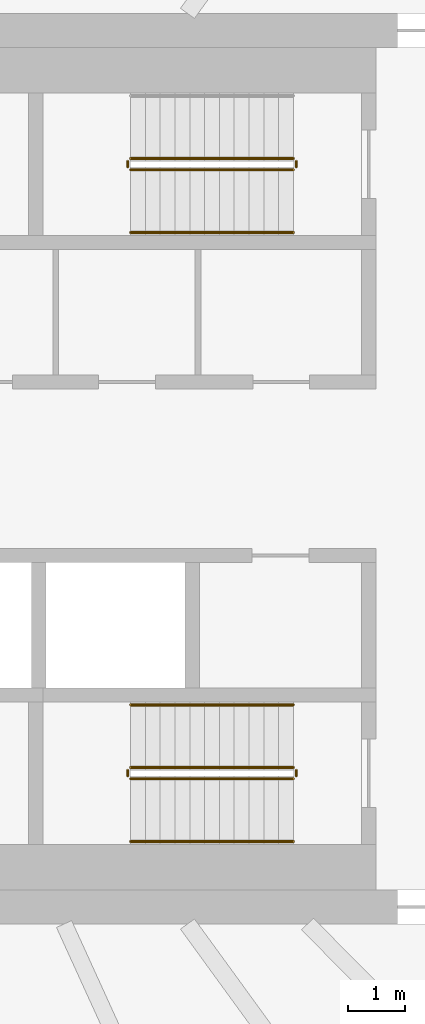
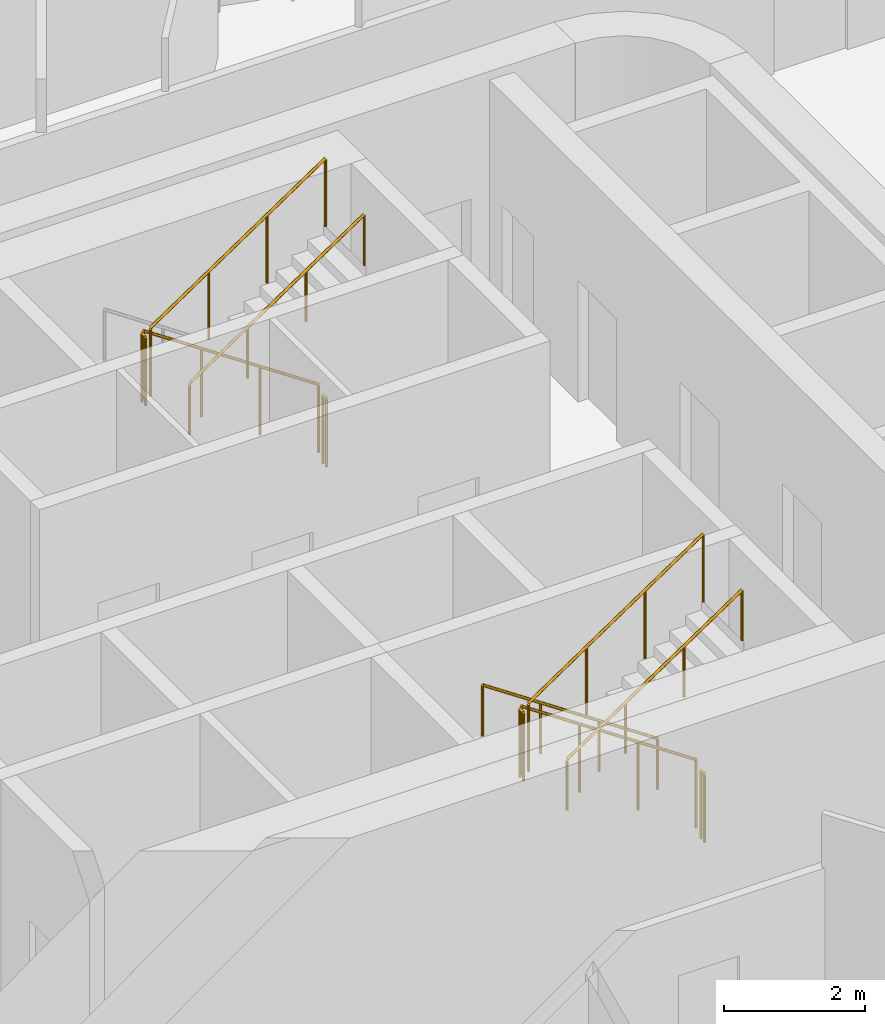
# One storey, part 22 of 24: 11 railings.
"""IFC4 building model written with IfcOpenShell, lengths in metres."""

import ifcopenshell
import ifcopenshell.guid

model = None  # the IFC model being written
_history = None  # IfcOwnerHistory: only IFC2X3 demands one
_inside = {}  # id of a spatial element -> (the spatial element, [elements in it])
_under = {}  # id of a project, library or spatial element -> (it, [spatial elements below it])
_declared = {}  # id of a project -> (the project, [libraries it declares])
_typed = {}  # id of a type object -> (the type object, [elements of that type])
_made_of = {}  # id of a material, layer set ... -> (it, [elements and type objects made of it])


def new_model(schema):
    """Start an empty IFC model of exactly this schema.

    Asked for "IFC4X3", IfcOpenShell would pick the latest addendum, in which some entities
    have other attributes; the version numbers below select the first issue.
    IFC2X3 requires an IfcOwnerHistory on every rooted entity: one is made here for all.
    """
    global model, _history
    if schema == "IFC4X3":
        model = ifcopenshell.file(schema_version=(4, 3, 0, 0))
    else:
        model = ifcopenshell.file(schema=schema)
    _inside.clear()
    _under.clear()
    _declared.clear()
    _typed.clear()
    _made_of.clear()
    _history = None
    if model.schema == "IFC2X3":
        org = make("IfcOrganization", Name="unknown")
        user = make(
            "IfcPersonAndOrganization",
            ThePerson=make("IfcPerson", FamilyName="unknown"),
            TheOrganization=org,
        )
        app = make(
            "IfcApplication",
            ApplicationDeveloper=org,
            Version="unknown",
            ApplicationFullName="unknown",
            ApplicationIdentifier="unknown",
        )
        _history = make(
            "IfcOwnerHistory",
            OwningUser=user,
            OwningApplication=app,
            ChangeAction="ADDED",
            CreationDate=0,
        )
    return model


def make(cls, **values):
    """One entity of the class cls with the attributes given. An attribute that is None is left unset."""
    return model.create_entity(
        cls, **{name: value for name, value in values.items() if value is not None}
    )


def rooted(cls, **values):
    """An entity with a GlobalId (a new one), such as an element, a storey or a relation."""
    return make(cls, GlobalId=ifcopenshell.guid.new(), OwnerHistory=_history, **values)


def si_unit(unit_type, name, prefix=None):
    """IfcSIUnit, for example si_unit("LENGTHUNIT", "METRE", prefix="MILLI")."""
    return make("IfcSIUnit", UnitType=unit_type, Prefix=prefix, Name=name)


def assignment(units):
    """IfcUnitAssignment: the units of a project."""
    return None if units is None else make("IfcUnitAssignment", Units=units)


def point(xyz):
    """IfcCartesianPoint."""
    return None if xyz is None else make("IfcCartesianPoint", Coordinates=xyz)


def direction(xyz):
    """IfcDirection."""
    return None if xyz is None else make("IfcDirection", DirectionRatios=xyz)


def frame(location, z_axis=None, x_axis=None):
    """IfcAxis2Placement3D, a coordinate frame: its origin and axes. An axis left out is left unset."""
    return make(
        "IfcAxis2Placement3D",
        Location=point(location),
        Axis=direction(z_axis),
        RefDirection=direction(x_axis),
    )


def frame_2d(location, x_axis=None):
    """IfcAxis2Placement2D, a coordinate frame in the plane: its origin and x axis."""
    return make(
        "IfcAxis2Placement2D", Location=point(location), RefDirection=direction(x_axis)
    )


def origin():
    """The frame at (0, 0, 0) with its axes left unset."""
    return frame((0.0, 0.0, 0.0))


def origin_2d():
    """The frame at (0, 0) in the plane with its x axis left unset."""
    return frame_2d((0.0, 0.0))


def place(relative_to, where):
    """IfcLocalPlacement: puts the frame where relative to a parent placement (None: the world)."""
    return make(
        "IfcLocalPlacement", PlacementRelTo=relative_to, RelativePlacement=where
    )


def context(
    kind, dimensions, precision=None, world=None, true_north=None, identifier=None
):
    """IfcGeometricRepresentationContext, for example the 3D "Model" context."""
    return make(
        "IfcGeometricRepresentationContext",
        ContextIdentifier=identifier,
        ContextType=kind,
        CoordinateSpaceDimension=dimensions,
        Precision=precision,
        WorldCoordinateSystem=world,
        TrueNorth=true_north,
    )


def subcontext(parent, identifier, kind, view, scale=None):
    """IfcGeometricRepresentationSubContext, for example "Body" below "Model"."""
    return make(
        "IfcGeometricRepresentationSubContext",
        ContextIdentifier=identifier,
        ContextType=kind,
        ParentContext=parent,
        TargetScale=scale,
        TargetView=view,
    )


def project(units=None, contexts=None):
    """IfcProject with its units and contexts."""
    return rooted(
        "IfcProject",
        Name="project",
        RepresentationContexts=contexts,
        UnitsInContext=assignment(units),
    )


def spatial(cls, under=None, at=None, **own):
    """A site, building, storey or space (cls), placed at a placement, below another one or the project."""
    s = rooted(cls, ObjectPlacement=at, **own)
    if under is not None:
        _under.setdefault(under.id(), (under, []))[1].append(s)
    return s


def profile(cls, at=None, kind="AREA", **sizes):
    """A parametric profile (cls). Its sizes go by their IFC names, for example OverallWidth=200.0."""
    return make(cls, ProfileType=kind, Position=at, **sizes)


def circle(**sizes):
    """IfcCircleProfileDef."""
    return profile("IfcCircleProfileDef", **sizes)


def extrude(swept, where, along, depth):
    """IfcExtrudedAreaSolid: the profile swept, set in the frame where, extruded along a direction by depth."""
    return make(
        "IfcExtrudedAreaSolid",
        SweptArea=swept,
        Position=where,
        ExtrudedDirection=direction(along),
        Depth=depth,
    )


def shape(context_of_items, identifier, shape_type, items):
    """IfcShapeRepresentation: the items that make up one representation, for example the "Body"."""
    return make(
        "IfcShapeRepresentation",
        ContextOfItems=context_of_items,
        RepresentationIdentifier=identifier,
        RepresentationType=shape_type,
        Items=items,
    )


def material(Name=None, Category=None):
    """IfcMaterial."""
    return make("IfcMaterial", Name=Name, Category=Category)


def made_of(thing, what):
    """Note that an element or type object is made of a material, layer set ...; save() writes the relation."""
    if what is not None:
        _made_of.setdefault(what.id(), (what, []))[1].append(thing)
    return thing


def type_object(cls, material=None, **own):
    """A type object (cls), such as IfcWallType, which elements share."""
    return made_of(rooted(cls, **own), material)


def element(
    cls,
    number,
    at=None,
    inside=None,
    cuts=None,
    type_object=None,
    material=None,
    context=None,
    identifier="Body",
    shape_type=None,
    held_by="IfcProductDefinitionShape",
    body=None,
    shapes=None,
    **own,
):
    """One element of the class cls, such as IfcWall. Its Tag is "e" and its number.

    at: its placement. inside: the storey or other place that contains it. cuts: it is an
    opening in that element (IfcRelVoidsElement). A single representation is given by context,
    identifier, shape_type and body (its items); several are given by shapes. held_by: the class
    of the entity that holds the representations. save() writes the other relations.
    """
    e = rooted(cls, Tag="e%d" % number, ObjectPlacement=at, **own)
    if body is not None:
        shapes = [shape(context, identifier, shape_type, body)]
    if shapes is not None:
        e.Representation = make(held_by, Representations=shapes)
    if inside is not None:
        _inside.setdefault(inside.id(), (inside, []))[1].append(e)
    if cuts is not None:
        rooted(
            "IfcRelVoidsElement", RelatingBuildingElement=cuts, RelatedOpeningElement=e
        )
    if type_object is not None:
        _typed.setdefault(type_object.id(), (type_object, []))[1].append(e)
    return made_of(e, material)


def aggregate(whole, parts):
    """IfcRelAggregates: a whole, such as a stair, and the parts it consists of."""
    return rooted("IfcRelAggregates", RelatingObject=whole, RelatedObjects=parts)


def save(model, path):
    """Write the relations noted so far, then the file.

    IfcRelAggregates (storeys below a building ...), IfcRelContainedInSpatialStructure (elements
    in a storey), IfcRelDefinesByType, IfcRelAssociatesMaterial and IfcRelDeclares: one each for
    every whole, place, type object, material and project.
    """
    for whole, parts in _under.values():
        aggregate(whole, parts)
    for where, things in _inside.values():
        rooted(
            "IfcRelContainedInSpatialStructure",
            RelatedElements=things,
            RelatingStructure=where,
        )
    for kind, things in _typed.values():
        rooted("IfcRelDefinesByType", RelatedObjects=things, RelatingType=kind)
    for what, things in _made_of.values():
        rooted("IfcRelAssociatesMaterial", RelatedObjects=things, RelatingMaterial=what)
    for by, libraries in _declared.values():
        rooted("IfcRelDeclares", RelatingContext=by, RelatedDefinitions=libraries)
    model.write(path)


model = new_model("IFC4")

# Units and contexts
model_context = context("Model", 3, precision=1e-05, world=origin(), true_north=direction((0.0, 1.0)))
body_context = subcontext(model_context, "Body", "Model", "MODEL_VIEW")
ifc_project = project(units=[si_unit("LENGTHUNIT", "METRE"), si_unit("AREAUNIT", "SQUARE_METRE"), si_unit("VOLUMEUNIT", "CUBIC_METRE"), si_unit("PLANEANGLEUNIT", "RADIAN"), si_unit("MASSUNIT", "GRAM", prefix="KILO")], contexts=[model_context])

# Site, building, storey
site_placement = place(None, origin())
site = spatial("IfcSite", under=ifc_project, at=site_placement, CompositionType="ELEMENT")
building_placement = place(site_placement, origin())
building = spatial("IfcBuilding", under=site, at=building_placement, Name="Sahrelin Media Tower", CompositionType="ELEMENT")
storey_placement = place(building_placement, frame((0.0, 0.0, 123.0)))
storey = spatial("IfcBuildingStorey", under=building, at=storey_placement, Name="L24", CompositionType="ELEMENT", Elevation=123.0)

# Railings
ifc_material = material(Name="Steel S355", Category="steel")
railing_type_1 = type_object("IfcRailingType", Name="Stair guard 1200", PredefinedType="GUARDRAIL", material=ifc_material)
railing_1_placement = place(storey_placement, frame((7.675048828125, 5.449951171875, 0.175048828125)))
element("IfcRailing", 1, at=railing_1_placement, inside=storey, type_object=railing_type_1, Name="L24 ST3 stair guard 1", PredefinedType="GUARDRAIL", context=body_context, shape_type="SweptSolid", body=[
    extrude(circle(Radius=0.02392578125, at=origin_2d()), frame((0.0, 0.0, 1.17578125), z_axis=(-0.829590901723, 0.0, 0.558371682465), x_axis=(0.0, -1.0, 0.0)), (0.0, 0.0, 1.0), 3.447509765625),
    extrude(circle(Radius=0.02099609375, at=origin_2d()), origin(), (0.0, 0.0, 1.0), 1.15185546875),
    extrude(circle(Radius=0.02099609375, at=origin_2d()), frame((-0.953369140625, 0.0, 0.6416015625)), (0.0, 0.0, 1.0), 1.15185546875),
    extrude(circle(Radius=0.02099609375, at=origin_2d()), frame((-1.90673828125, 0.0, 1.283447265625)), (0.0, 0.0, 1.0), 1.15185546875),
    extrude(circle(Radius=0.02099609375, at=origin_2d()), frame((-2.860107421875, 0.0, 1.925048828125)), (0.0, 0.0, 1.0), 1.15185546875),
])
railing_2_placement = place(storey_placement, frame((4.764892578125, 5.39990234375, 2.10009765625)))
element("IfcRailing", 2, at=railing_2_placement, inside=storey, type_object=railing_type_1, Name="L24 ST3 stair guard 2", PredefinedType="GUARDRAIL", context=body_context, shape_type="SweptSolid", body=[
    extrude(circle(Radius=0.02392578125, at=origin_2d()), frame((0.0, 0.0, 1.17578125), z_axis=(0.0, -1.0, 0.0), x_axis=(1.0, 0.0, 0.0)), (0.0, 0.0, 1.0), 0.099853515625),
    extrude(circle(Radius=0.02099609375, at=origin_2d()), origin(), (0.0, 0.0, 1.0), 1.15185546875),
    extrude(circle(Radius=0.02099609375, at=origin_2d()), frame((0.0, -0.099853515625, 0.0)), (0.0, 0.0, 1.0), 1.15185546875),
])
railing_3_placement = place(storey_placement, frame((4.81494140625, 5.25, 2.27490234375)))
element("IfcRailing", 3, at=railing_3_placement, inside=storey, type_object=railing_type_1, Name="L24 ST3 stair guard 3", PredefinedType="GUARDRAIL", context=body_context, shape_type="SweptSolid", body=[
    extrude(circle(Radius=0.02392578125, at=origin_2d()), frame((0.0, 0.0, 1.17578125), z_axis=(0.829590901723, 0.0, 0.558371682465), x_axis=(0.0, 1.0, 0.0)), (0.0, 0.0, 1.0), 3.447509765625),
    extrude(circle(Radius=0.02099609375, at=origin_2d()), origin(), (0.0, 0.0, 1.0), 1.15185546875),
    extrude(circle(Radius=0.02099609375, at=origin_2d()), frame((0.953369140625, 0.0, 0.6416015625)), (0.0, 0.0, 1.0), 1.15185546875),
    extrude(circle(Radius=0.02099609375, at=origin_2d()), frame((1.90673828125, 0.0, 1.283447265625)), (0.0, 0.0, 1.0), 1.15185546875),
    extrude(circle(Radius=0.02099609375, at=origin_2d()), frame((2.860107421875, 0.0, 1.925048828125)), (0.0, 0.0, 1.0), 1.15185546875),
])
railing_4_placement = place(storey_placement, frame((7.72509765625, 5.39990234375, 0.0)))
element("IfcRailing", 4, at=railing_4_placement, inside=storey, type_object=railing_type_1, Name="L24 ST3 stair guard 4", PredefinedType="GUARDRAIL", context=body_context, shape_type="SweptSolid", body=[
    extrude(circle(Radius=0.02392578125, at=origin_2d()), frame((0.0, 0.0, 1.17578125), z_axis=(0.0, -1.0, 0.0), x_axis=(1.0, 0.0, 0.0)), (0.0, 0.0, 1.0), 0.099853515625),
    extrude(circle(Radius=0.02099609375, at=origin_2d()), origin(), (0.0, 0.0, 1.0), 1.15185546875),
    extrude(circle(Radius=0.02099609375, at=origin_2d()), frame((0.0, -0.099853515625, 0.0)), (0.0, 0.0, 1.0), 1.15185546875),
])
railing_5_placement = place(storey_placement, frame((7.675048828125, -5.25, 0.175048828125)))
element("IfcRailing", 5, at=railing_5_placement, inside=storey, type_object=railing_type_1, Name="L24 ST2 stair guard 1", PredefinedType="GUARDRAIL", context=body_context, shape_type="SweptSolid", body=[
    extrude(circle(Radius=0.02392578125, at=origin_2d()), frame((0.0, 0.0, 1.17578125), z_axis=(-0.829590901723, 0.0, 0.558371682465), x_axis=(0.0, -1.0, 0.0)), (0.0, 0.0, 1.0), 3.447509765625),
    extrude(circle(Radius=0.02099609375, at=origin_2d()), origin(), (0.0, 0.0, 1.0), 1.15185546875),
    extrude(circle(Radius=0.02099609375, at=origin_2d()), frame((-0.953369140625, 0.0, 0.6416015625)), (0.0, 0.0, 1.0), 1.15185546875),
    extrude(circle(Radius=0.02099609375, at=origin_2d()), frame((-1.90673828125, 0.0, 1.283447265625)), (0.0, 0.0, 1.0), 1.15185546875),
    extrude(circle(Radius=0.02099609375, at=origin_2d()), frame((-2.860107421875, 0.0, 1.925048828125)), (0.0, 0.0, 1.0), 1.15185546875),
])
railing_6_placement = place(storey_placement, frame((4.764892578125, -5.300048828125, 2.10009765625)))
element("IfcRailing", 6, at=railing_6_placement, inside=storey, type_object=railing_type_1, Name="L24 ST2 stair guard 2", PredefinedType="GUARDRAIL", context=body_context, shape_type="SweptSolid", body=[
    extrude(circle(Radius=0.02392578125, at=origin_2d()), frame((0.0, 0.0, 1.17578125), z_axis=(0.0, -1.0, 0.0), x_axis=(1.0, 0.0, 0.0)), (0.0, 0.0, 1.0), 0.099853515625),
    extrude(circle(Radius=0.02099609375, at=origin_2d()), origin(), (0.0, 0.0, 1.0), 1.15185546875),
    extrude(circle(Radius=0.02099609375, at=origin_2d()), frame((0.0, -0.099853515625, 0.0)), (0.0, 0.0, 1.0), 1.15185546875),
])
railing_7_placement = place(storey_placement, frame((4.81494140625, -5.449951171875, 2.27490234375)))
element("IfcRailing", 7, at=railing_7_placement, inside=storey, type_object=railing_type_1, Name="L24 ST2 stair guard 3", PredefinedType="GUARDRAIL", context=body_context, shape_type="SweptSolid", body=[
    extrude(circle(Radius=0.02392578125, at=origin_2d()), frame((0.0, 0.0, 1.17578125), z_axis=(0.829590901723, 0.0, 0.558371682465), x_axis=(0.0, 1.0, 0.0)), (0.0, 0.0, 1.0), 3.447509765625),
    extrude(circle(Radius=0.02099609375, at=origin_2d()), origin(), (0.0, 0.0, 1.0), 1.15185546875),
    extrude(circle(Radius=0.02099609375, at=origin_2d()), frame((0.953369140625, 0.0, 0.6416015625)), (0.0, 0.0, 1.0), 1.15185546875),
    extrude(circle(Radius=0.02099609375, at=origin_2d()), frame((1.90673828125, 0.0, 1.283447265625)), (0.0, 0.0, 1.0), 1.15185546875),
    extrude(circle(Radius=0.02099609375, at=origin_2d()), frame((2.860107421875, 0.0, 1.925048828125)), (0.0, 0.0, 1.0), 1.15185546875),
])
railing_8_placement = place(storey_placement, frame((7.72509765625, -5.300048828125, 0.0)))
element("IfcRailing", 8, at=railing_8_placement, inside=storey, type_object=railing_type_1, Name="L24 ST2 stair guard 4", PredefinedType="GUARDRAIL", context=body_context, shape_type="SweptSolid", body=[
    extrude(circle(Radius=0.02392578125, at=origin_2d()), frame((0.0, 0.0, 1.17578125), z_axis=(0.0, -1.0, 0.0), x_axis=(1.0, 0.0, 0.0)), (0.0, 0.0, 1.0), 0.099853515625),
    extrude(circle(Radius=0.02099609375, at=origin_2d()), origin(), (0.0, 0.0, 1.0), 1.15185546875),
    extrude(circle(Radius=0.02099609375, at=origin_2d()), frame((0.0, -0.099853515625, 0.0)), (0.0, 0.0, 1.0), 1.15185546875),
])
railing_type_2 = type_object("IfcRailingType", Name="Stair handrail 900", PredefinedType="HANDRAIL", material=ifc_material)
railing_9_placement = place(storey_placement, frame((4.81494140625, 4.14990234375, 2.27490234375)))
element("IfcRailing", 9, at=railing_9_placement, inside=storey, type_object=railing_type_2, Name="L24 ST3 stair handrail 2", PredefinedType="HANDRAIL", context=body_context, shape_type="SweptSolid", body=[
    extrude(circle(Radius=0.02392578125, at=origin_2d()), frame((0.0, 0.0, 0.8759765625), z_axis=(0.829590901723, 0.0, 0.558371682465), x_axis=(0.0, 1.0, 0.0)), (0.0, 0.0, 1.0), 3.447509765625),
    extrude(circle(Radius=0.02099609375, at=origin_2d()), origin(), (0.0, 0.0, 1.0), 0.851806640625),
    extrude(circle(Radius=0.02099609375, at=origin_2d()), frame((0.953369140625, 0.0, 0.6416015625)), (0.0, 0.0, 1.0), 0.851806640625),
    extrude(circle(Radius=0.02099609375, at=origin_2d()), frame((1.90673828125, 0.0, 1.283447265625)), (0.0, 0.0, 1.0), 0.851806640625),
    extrude(circle(Radius=0.02099609375, at=origin_2d()), frame((2.860107421875, 0.0, 1.925048828125)), (0.0, 0.0, 1.0), 0.851806640625),
])
railing_10_placement = place(storey_placement, frame((7.675048828125, -4.14990234375, 0.175048828125)))
element("IfcRailing", 10, at=railing_10_placement, inside=storey, type_object=railing_type_2, Name="L24 ST2 stair handrail 1", PredefinedType="HANDRAIL", context=body_context, shape_type="SweptSolid", body=[
    extrude(circle(Radius=0.02392578125, at=origin_2d()), frame((0.0, 0.0, 0.8759765625), z_axis=(-0.829590901723, 0.0, 0.558371682465), x_axis=(0.0, -1.0, 0.0)), (0.0, 0.0, 1.0), 3.447509765625),
    extrude(circle(Radius=0.02099609375, at=origin_2d()), origin(), (0.0, 0.0, 1.0), 0.851806640625),
    extrude(circle(Radius=0.02099609375, at=origin_2d()), frame((-0.953369140625, 0.0, 0.6416015625)), (0.0, 0.0, 1.0), 0.851806640625),
    extrude(circle(Radius=0.02099609375, at=origin_2d()), frame((-1.90673828125, 0.0, 1.283447265625)), (0.0, 0.0, 1.0), 0.851806640625),
    extrude(circle(Radius=0.02099609375, at=origin_2d()), frame((-2.860107421875, 0.0, 1.925048828125)), (0.0, 0.0, 1.0), 0.851806640625),
])
railing_11_placement = place(storey_placement, frame((4.81494140625, -6.550048828125, 2.27490234375)))
element("IfcRailing", 11, at=railing_11_placement, inside=storey, type_object=railing_type_2, Name="L24 ST2 stair handrail 2", PredefinedType="HANDRAIL", context=body_context, shape_type="SweptSolid", body=[
    extrude(circle(Radius=0.02392578125, at=origin_2d()), frame((0.0, 0.0, 0.8759765625), z_axis=(0.829590901723, 0.0, 0.558371682465), x_axis=(0.0, 1.0, 0.0)), (0.0, 0.0, 1.0), 3.447509765625),
    extrude(circle(Radius=0.02099609375, at=origin_2d()), origin(), (0.0, 0.0, 1.0), 0.851806640625),
    extrude(circle(Radius=0.02099609375, at=origin_2d()), frame((0.953369140625, 0.0, 0.6416015625)), (0.0, 0.0, 1.0), 0.851806640625),
    extrude(circle(Radius=0.02099609375, at=origin_2d()), frame((1.90673828125, 0.0, 1.283447265625)), (0.0, 0.0, 1.0), 0.851806640625),
    extrude(circle(Radius=0.02099609375, at=origin_2d()), frame((2.860107421875, 0.0, 1.925048828125)), (0.0, 0.0, 1.0), 0.851806640625),
])

save(model, "model.ifc")
